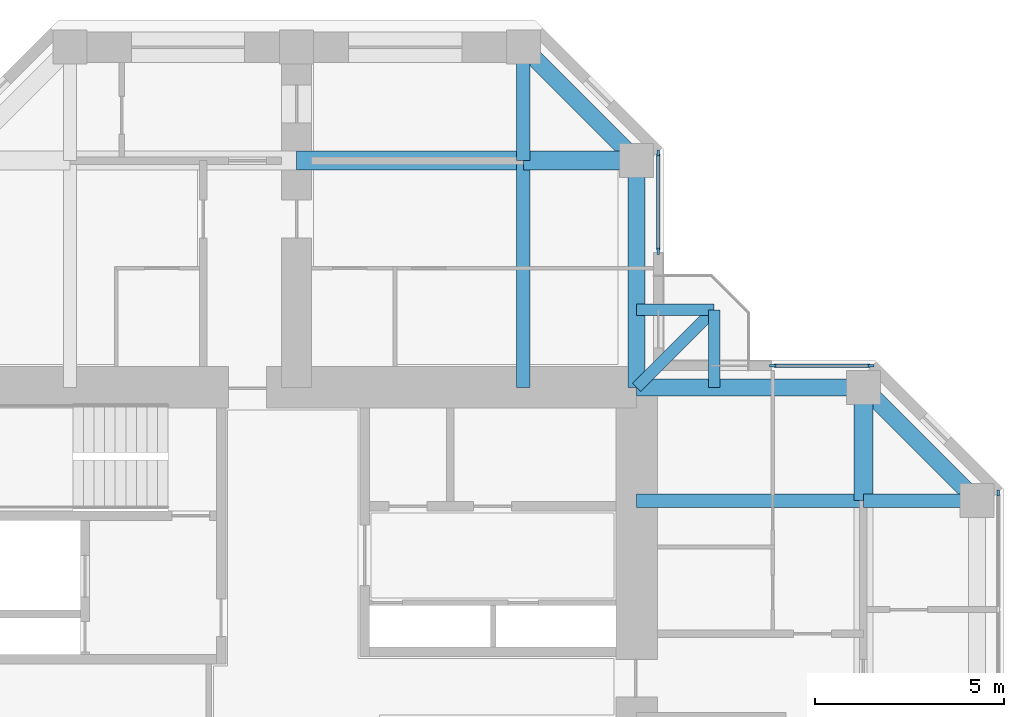
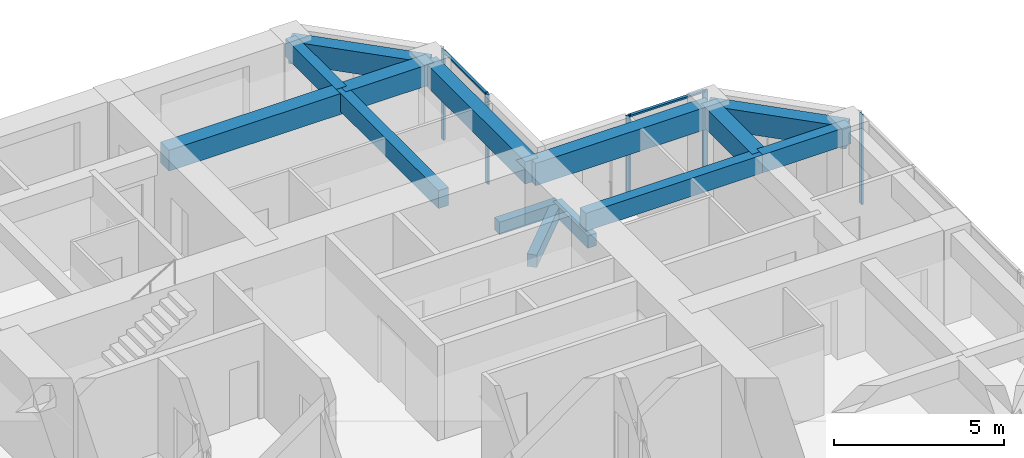
# One storey, part 6 of 14: 14 beams, 7 members, 3 elements without a shape of their own.
"""IFC4 building model written with IfcOpenShell, lengths in metres."""

from ifc_helpers import new_model, si_unit, direction, frame, origin, origin_2d, place, context, subcontext, project, spatial, rectangle, extrude, material, material_profile, profile_set, type_object, element, aggregate, save


model = new_model("IFC4")

# Units and contexts
model_context = context("Model", 3, precision=1e-05, world=origin(), true_north=direction((0.0, 1.0)))
body_context = subcontext(model_context, "Body", "Model", "MODEL_VIEW")
ifc_project = project(units=[si_unit("LENGTHUNIT", "METRE"), si_unit("AREAUNIT", "SQUARE_METRE"), si_unit("VOLUMEUNIT", "CUBIC_METRE"), si_unit("PLANEANGLEUNIT", "RADIAN"), si_unit("MASSUNIT", "GRAM", prefix="KILO")], contexts=[model_context])

# Site, building, storey
site_placement = place(None, origin())
site = spatial("IfcSite", under=ifc_project, at=site_placement, CompositionType="ELEMENT")
building_placement = place(site_placement, origin())
building = spatial("IfcBuilding", under=site, at=building_placement, Name="Torre Cruceta", CompositionType="ELEMENT")
storey_placement = place(building_placement, frame((0.0, 0.0, 200.10009765625)))
storey = spatial("IfcBuildingStorey", under=building, at=storey_placement, Name="L50", CompositionType="ELEMENT", Elevation=200.10009765625)

# Beams
ifc_material_1 = material(Name="Concrete G60 (fck 60 MPa)", Category="concrete")
ifc_material_profile_1 = material_profile(ifc_material_1, rectangle(XDim=0.300048828125, YDim=0.449951171875, at=origin_2d()), Name="RC 300X450")
ifc_profile_set_1 = profile_set([ifc_material_profile_1], Name="Concrete G60 (fck 60 MPa)")
beam_type_1 = type_object("IfcBeamType", Name="BALCONY CANTILEVER BEAM RC 300X450", PredefinedType="BEAM", material=ifc_profile_set_1)
beam_1_placement = place(storey_placement, frame((9.0, 9.0, -0.405029296875), z_axis=(0.707106781187, 0.707106781187, 0.0), x_axis=(-0.707106781187, 0.707106781187, 0.0)))
element("IfcBeam", 1, at=beam_1_placement, inside=storey, type_object=beam_type_1, Name="BB1 balcony beam L50 E", PredefinedType="BEAM", context=body_context, shape_type="SweptSolid", body=[
    extrude(rectangle(XDim=0.300048828125, YDim=0.449951171875, at=origin_2d()), origin(), (0.0, 0.0, 1.0), 2.89990234375),
])
for number, where, z_axis, x_axis, name in (
    (2, (11.050537109375, 9.0, -0.405029296875), (0.0, 1.0, 0.0), (-1.0, 0.0, 0.0), "BB1 balcony edge beam L50 E-X"),
    (3, (9.0, 11.050537109375, -0.405029296875), (1.0, 0.0, 0.0), (0.0, 1.0, 0.0), "BB1 balcony edge beam L50 E-Y"),
):
    element("IfcBeam", number, at=place(storey_placement, frame(where, z_axis=z_axis, x_axis=x_axis)), inside=storey, type_object=beam_type_1, Name=name, PredefinedType="BEAM", context=body_context, shape_type="SweptSolid", body=[
        extrude(rectangle(XDim=0.300048828125, YDim=0.449951171875, at=origin_2d()), origin(), (0.0, 0.0, 1.0), 2.050537109375),
    ])
ifc_material_2 = material(Name="Concrete G60 (fck 60 MPa)", Category="concrete")
ifc_material_profile_2 = material_profile(ifc_material_2, rectangle(XDim=0.35009765625, YDim=0.64990234375, at=origin_2d()), Name="RC 350X650")
ifc_profile_set_2 = profile_set([ifc_material_profile_2], Name="Concrete G60 (fck 60 MPa)")
beam_type_2 = type_object("IfcBeamType", Name="COLUMN LINE BEAM RC 350X650", PredefinedType="BEAM", material=ifc_profile_set_2)
beam_2_placement = place(storey_placement, frame((6.0, 9.0, 2.89501953125), z_axis=(0.0, 1.0, 0.0), x_axis=(-1.0, 0.0, 0.0)))
element("IfcBeam", 4, at=beam_2_placement, inside=storey, type_object=beam_type_2, Name="LB7 L50 N col- 1", PredefinedType="BEAM", context=body_context, shape_type="SweptSolid", body=[
    extrude(rectangle(XDim=0.35009765625, YDim=0.64990234375, at=origin_2d()), origin(), (0.0, 0.0, 1.0), 6.0),
])
beam_3_placement = place(storey_placement, frame((6.0, 15.0, 2.89501953125), z_axis=(0.0, 1.0, 0.0), x_axis=(-1.0, 0.0, 0.0)))
element("IfcBeam", 5, at=beam_3_placement, inside=storey, type_object=beam_type_2, Name="LB7 L50 N col- 2", PredefinedType="BEAM", context=body_context, shape_type="SweptSolid", body=[
    extrude(rectangle(XDim=0.35009765625, YDim=0.64990234375, at=origin_2d()), origin(), (0.0, 0.0, 1.0), 3.0),
])
beam_4_placement = place(storey_placement, frame((9.0, 6.0, 2.89501953125), z_axis=(1.0, 0.0, 0.0), x_axis=(0.0, 1.0, 0.0)))
element("IfcBeam", 6, at=beam_4_placement, inside=storey, type_object=beam_type_2, Name="LB7 L50 E col+ 1", PredefinedType="BEAM", context=body_context, shape_type="SweptSolid", body=[
    extrude(rectangle(XDim=0.35009765625, YDim=0.64990234375, at=origin_2d()), origin(), (0.0, 0.0, 1.0), 6.0),
])
beam_5_placement = place(storey_placement, frame((15.0, 6.0, 2.89501953125), z_axis=(1.0, 0.0, 0.0), x_axis=(0.0, 1.0, 0.0)))
element("IfcBeam", 7, at=beam_5_placement, inside=storey, type_object=beam_type_2, Name="LB7 L50 E col+ 2", PredefinedType="BEAM", context=body_context, shape_type="SweptSolid", body=[
    extrude(rectangle(XDim=0.35009765625, YDim=0.64990234375, at=origin_2d()), origin(), (0.0, 0.0, 1.0), 3.0),
])
ifc_material_3 = material(Name="Concrete G60 (fck 60 MPa)", Category="concrete")
ifc_material_profile_3 = material_profile(ifc_material_3, rectangle(XDim=0.5, YDim=0.75, at=origin_2d()), Name="RC 500X750")
ifc_profile_set_3 = profile_set([ifc_material_profile_3], Name="Concrete G60 (fck 60 MPa)")
beam_type_3 = type_object("IfcBeamType", Name="CROSS BEAM RC 500X750", PredefinedType="BEAM", material=ifc_profile_set_3)
beam_6_placement = place(storey_placement, frame((9.0, 15.0, 2.844970703125), z_axis=(-1.0, 0.0, 0.0), x_axis=(0.0, -1.0, 0.0)))
element("IfcBeam", 8, at=beam_6_placement, inside=storey, type_object=beam_type_3, Name="GB6 L50 N cross15 1", PredefinedType="BEAM", context=body_context, shape_type="SweptSolid", body=[
    extrude(rectangle(XDim=0.5, YDim=0.75, at=origin_2d()), origin(), (0.0, 0.0, 1.0), 3.0),
])
beam_7_placement = place(storey_placement, frame((6.0, 15.0, 2.844970703125), z_axis=(-1.0, 0.0, 0.0), x_axis=(0.0, -1.0, 0.0)))
element("IfcBeam", 9, at=beam_7_placement, inside=storey, type_object=beam_type_3, Name="GB6 L50 N cross15 2", PredefinedType="BEAM", context=body_context, shape_type="SweptSolid", body=[
    extrude(rectangle(XDim=0.5, YDim=0.75, at=origin_2d()), origin(), (0.0, 0.0, 1.0), 6.0),
])
beam_8_placement = place(storey_placement, frame((15.0, 6.0, 2.844970703125), z_axis=(0.0, 1.0, 0.0), x_axis=(-1.0, 0.0, 0.0)))
element("IfcBeam", 10, at=beam_8_placement, inside=storey, type_object=beam_type_3, Name="GB6 L50 E cross15 4", PredefinedType="BEAM", context=body_context, shape_type="SweptSolid", body=[
    extrude(rectangle(XDim=0.5, YDim=0.75, at=origin_2d()), origin(), (0.0, 0.0, 1.0), 3.0),
])

# Curtain wall, member
ifc_material_4 = material(Name="Aluminium unitised curtain wall", Category="aluminium")
curtain_wall_type = type_object("IfcCurtainWallType", Name="CURTAIN WALL CW-C CO-LIVING", PredefinedType="USERDEFINED", material=ifc_material_4)
curtain_wall_1_placement = place(storey_placement, origin())
curtain_wall_1 = element("IfcCurtainWall", 11, at=curtain_wall_1_placement, inside=storey, type_object=curtain_wall_type, Name="CW-C L50 E tip 02", ObjectType="UNITISED", PredefinedType="USERDEFINED")
ifc_material_5 = material(Name="Aluminium mullion", Category="aluminium")
ifc_material_profile_4 = material_profile(ifc_material_5, rectangle(XDim=0.06005859375, YDim=0.159912109375, at=origin_2d()), Name="AL 60X160")
ifc_profile_set_4 = profile_set([ifc_material_profile_4], Name="Aluminium mullion")
member_type_1 = type_object("IfcMemberType", Name="CW-C MULLION 60X160", PredefinedType="MULLION", material=ifc_profile_set_4)
member_1_placement = place(storey_placement, frame((18.570068359375, 6.2060546875, 0.0), z_axis=(0.0, 0.0, 1.0), x_axis=(-1.0, 0.0, 0.0)))
member_1 = element("IfcMember", 12, at=member_1_placement, type_object=member_type_1, Name="CW-C mullion 5", PredefinedType="MULLION", context=body_context, shape_type="SweptSolid", body=[
    extrude(rectangle(XDim=0.06005859375, YDim=0.159912109375, at=origin_2d()), origin(), (0.0, 0.0, 1.0), 3.219970703125),
])
aggregate(curtain_wall_1, [member_1])

# Curtain wall, members
curtain_wall_2_placement = place(storey_placement, origin())
curtain_wall_2 = element("IfcCurtainWall", 13, at=curtain_wall_2_placement, inside=storey, type_object=curtain_wall_type, Name="CW-C L50 E side 04", ObjectType="UNITISED", PredefinedType="USERDEFINED")
member_2_placement = place(storey_placement, frame((15.2060546875, 9.570068359375, 0.0), z_axis=(0.0, 0.0, 1.0), x_axis=(0.0, -1.0, 0.0)))
member_2 = element("IfcMember", 14, at=member_2_placement, type_object=member_type_1, Name="CW-C mullion 1", PredefinedType="MULLION", context=body_context, shape_type="SweptSolid", body=[
    extrude(rectangle(XDim=0.06005859375, YDim=0.159912109375, at=origin_2d()), origin(), (0.0, 0.0, 1.0), 3.219970703125),
])
member_3_placement = place(storey_placement, frame((12.60009765625, 9.570068359375, 0.0), z_axis=(0.0, 0.0, 1.0), x_axis=(0.0, -1.0, 0.0)))
member_3 = element("IfcMember", 15, at=member_3_placement, type_object=member_type_1, Name="CW-C mullion 2", PredefinedType="MULLION", context=body_context, shape_type="SweptSolid", body=[
    extrude(rectangle(XDim=0.06005859375, YDim=0.159912109375, at=origin_2d()), origin(), (0.0, 0.0, 1.0), 3.219970703125),
])

curtain_wall_3_placement = place(storey_placement, origin())
curtain_wall_3 = element("IfcCurtainWall", 16, at=curtain_wall_3_placement, inside=storey, type_object=curtain_wall_type, Name="CW-C L50 N side 05", ObjectType="UNITISED", PredefinedType="USERDEFINED")
member_4_placement = place(storey_placement, frame((9.570068359375, 12.60009765625, 0.0), z_axis=(0.0, 0.0, 1.0), x_axis=(-1.0, 0.0, 0.0)))
member_4 = element("IfcMember", 17, at=member_4_placement, type_object=member_type_1, Name="CW-C mullion 1", PredefinedType="MULLION", context=body_context, shape_type="SweptSolid", body=[
    extrude(rectangle(XDim=0.06005859375, YDim=0.159912109375, at=origin_2d()), origin(), (0.0, 0.0, 1.0), 3.219970703125),
])
member_5_placement = place(storey_placement, frame((9.570068359375, 15.2060546875, 0.0), z_axis=(0.0, 0.0, 1.0), x_axis=(-1.0, 0.0, 0.0)))
member_5 = element("IfcMember", 18, at=member_5_placement, type_object=member_type_1, Name="CW-C mullion 2", PredefinedType="MULLION", context=body_context, shape_type="SweptSolid", body=[
    extrude(rectangle(XDim=0.06005859375, YDim=0.159912109375, at=origin_2d()), origin(), (0.0, 0.0, 1.0), 3.219970703125),
])

# Member
ifc_material_6 = material(Name="Aluminium transom", Category="aluminium")
ifc_material_profile_5 = material_profile(ifc_material_6, rectangle(XDim=0.10009765625, YDim=0.06005859375, at=origin_2d()), Name="AL 100X60")
ifc_profile_set_5 = profile_set([ifc_material_profile_5], Name="Aluminium transom")
member_type_2 = type_object("IfcMemberType", Name="CW-C TRANSOM 60X100", PredefinedType="USERDEFINED", material=ifc_profile_set_5)
member_6_placement = place(storey_placement, frame((15.176025390625, 9.570068359375, 3.18994140625), z_axis=(-1.0, 0.0, 0.0), x_axis=(0.0, -1.0, 0.0)))
member_6 = element("IfcMember", 19, at=member_6_placement, type_object=member_type_2, Name="CW-C transom 1", ObjectType="TRANSOM", PredefinedType="USERDEFINED", context=body_context, shape_type="SweptSolid", body=[
    extrude(rectangle(XDim=0.10009765625, YDim=0.06005859375, at=origin_2d()), origin(), (0.0, 0.0, 1.0), 2.546142578125),
])

aggregate(curtain_wall_2, [member_2, member_3, member_6])

member_7_placement = place(storey_placement, frame((9.570068359375, 12.6298828125, 3.18994140625), z_axis=(0.0, 1.0, 0.0), x_axis=(-1.0, 0.0, 0.0)))
member_7 = element("IfcMember", 20, at=member_7_placement, type_object=member_type_2, Name="CW-C transom 1", ObjectType="TRANSOM", PredefinedType="USERDEFINED", context=body_context, shape_type="SweptSolid", body=[
    extrude(rectangle(XDim=0.10009765625, YDim=0.06005859375, at=origin_2d()), origin(), (0.0, 0.0, 1.0), 2.546142578125),
])

aggregate(curtain_wall_3, [member_4, member_5, member_7])

# Beams
ifc_material_7 = material(Name="Concrete G60 (fck 60 MPa)", Category="concrete")
ifc_material_profile_6 = material_profile(ifc_material_7, rectangle(XDim=0.449951171875, YDim=0.800048828125, at=origin_2d()), Name="RC 450X800")
ifc_profile_set_6 = profile_set([ifc_material_profile_6], Name="Concrete G60 (fck 60 MPa)")
beam_type_4 = type_object("IfcBeamType", Name="SPANDREL BEAM RC 450X800", PredefinedType="SPANDREL", material=ifc_profile_set_6)
beam_9_placement = place(storey_placement, frame((9.0, 9.0, 2.81982421875), z_axis=(0.0, 1.0, 0.0), x_axis=(-1.0, 0.0, 0.0)))
element("IfcBeam", 21, at=beam_9_placement, inside=storey, type_object=beam_type_4, Name="SB6 L50 N side- 1", PredefinedType="SPANDREL", context=body_context, shape_type="SweptSolid", body=[
    extrude(rectangle(XDim=0.449951171875, YDim=0.800048828125, at=origin_2d()), origin(), (0.0, 0.0, 1.0), 6.0),
])
beam_10_placement = place(storey_placement, frame((9.0, 15.0, 2.81982421875), z_axis=(-0.707106781187, 0.707106781187, 0.0), x_axis=(-0.707106781187, -0.707106781187, 0.0)))
element("IfcBeam", 22, at=beam_10_placement, inside=storey, type_object=beam_type_4, Name="SB6 L50 N side- 2", PredefinedType="SPANDREL", context=body_context, shape_type="SweptSolid", body=[
    extrude(rectangle(XDim=0.449951171875, YDim=0.800048828125, at=origin_2d()), origin(), (0.0, 0.0, 1.0), 4.24267578125),
])
beam_11_placement = place(storey_placement, frame((9.0, 9.0, 2.81982421875), z_axis=(1.0, 0.0, 0.0), x_axis=(0.0, 1.0, 0.0)))
element("IfcBeam", 23, at=beam_11_placement, inside=storey, type_object=beam_type_4, Name="SB6 L50 E side+ 1", PredefinedType="SPANDREL", context=body_context, shape_type="SweptSolid", body=[
    extrude(rectangle(XDim=0.449951171875, YDim=0.800048828125, at=origin_2d()), origin(), (0.0, 0.0, 1.0), 6.0),
])
beam_12_placement = place(storey_placement, frame((15.0, 9.0, 2.81982421875), z_axis=(0.707106781187, -0.707106781187, 0.0), x_axis=(0.707106781187, 0.707106781187, 0.0)))
element("IfcBeam", 24, at=beam_12_placement, inside=storey, type_object=beam_type_4, Name="SB6 L50 E side+ 2", PredefinedType="SPANDREL", context=body_context, shape_type="SweptSolid", body=[
    extrude(rectangle(XDim=0.449951171875, YDim=0.800048828125, at=origin_2d()), origin(), (0.0, 0.0, 1.0), 4.24267578125),
])

save(model, "model.ifc")
